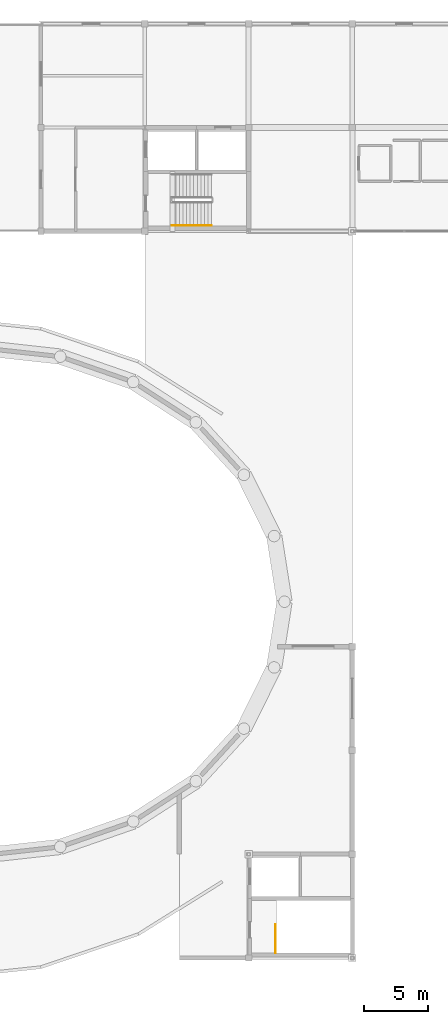
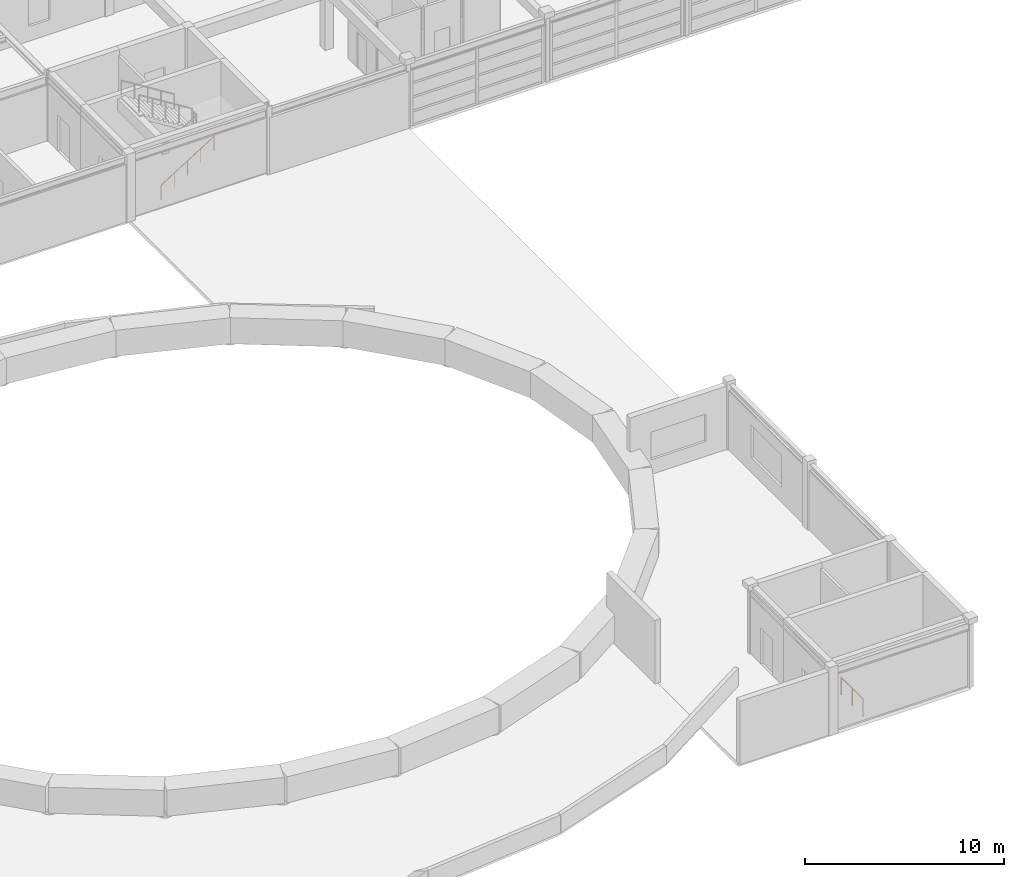
# One storey, part 22 of 26: 2 railings.
"""IFC4 building model written with IfcOpenShell, lengths in metres."""

from ifc_helpers import new_model, si_unit, direction, frame, origin, origin_2d, place, context, subcontext, project, spatial, circle, extrude, material, type_object, element, save


model = new_model("IFC4")

# Units and contexts
model_context = context("Model", 3, precision=1e-05, world=origin(), true_north=direction((0.0, 1.0)))
body_context = subcontext(model_context, "Body", "Model", "MODEL_VIEW")
ifc_project = project(units=[si_unit("LENGTHUNIT", "METRE"), si_unit("AREAUNIT", "SQUARE_METRE"), si_unit("VOLUMEUNIT", "CUBIC_METRE"), si_unit("PLANEANGLEUNIT", "RADIAN"), si_unit("MASSUNIT", "GRAM", prefix="KILO")], contexts=[model_context])

# Site, building, storey
site_placement = place(None, origin())
site = spatial("IfcSite", under=ifc_project, at=site_placement, CompositionType="ELEMENT")
building_placement = place(site_placement, origin())
building = spatial("IfcBuilding", under=site, at=building_placement, Name="Parian Resonance Hall", CompositionType="ELEMENT")
storey_placement = place(building_placement, frame((0.0, 0.0, 19.199951171875)))
storey = spatial("IfcBuildingStorey", under=building, at=storey_placement, Name="L04", CompositionType="ELEMENT", Elevation=19.199951171875)

# Railings
ifc_material_1 = material(Name="Patinated bronze whiplash metalwork")
railing_type_1 = type_object("IfcRailingType", Name="RAIL-STAIR-GRD-1100", PredefinedType="GUARDRAIL", material=ifc_material_1)
railing_1_placement = place(storey_placement, frame((66.889892578125, 16.60009765625, 0.0)))
element("IfcRailing", 1, at=railing_1_placement, inside=storey, type_object=railing_type_1, Name="L04 ST-03 top well guard 1", PredefinedType="GUARDRAIL", context=body_context, shape_type="SweptSolid", body=[
    extrude(circle(Radius=0.02392578125, at=origin_2d()), frame((0.0, 0.0, 1.076171875), z_axis=(0.0, 1.0, 0.0), x_axis=(-1.0, 0.0, 0.0)), (0.0, 0.0, 1.0), 2.199951171875),
    extrude(circle(Radius=0.02099609375, at=origin_2d()), origin(), (0.0, 0.0, 1.0), 1.052001953125),
    extrude(circle(Radius=0.02099609375, at=origin_2d()), frame((0.0, 1.10009765625, 0.0)), (0.0, 0.0, 1.0), 1.052001953125),
    extrude(circle(Radius=0.02099609375, at=origin_2d()), frame((0.0, 2.199951171875, 0.0)), (0.0, 0.0, 1.0), 1.052001953125),
])
ifc_material_2 = material(Name="Patinated bronze whiplash metalwork")
railing_type_2 = type_object("IfcRailingType", Name="RAIL-STAIR-HR-900", PredefinedType="HANDRAIL", material=ifc_material_2)
railing_2_placement = place(storey_placement, frame((58.840087890625, 73.35009765625, 0.175048828125)))
element("IfcRailing", 2, at=railing_2_placement, inside=storey, type_object=railing_type_2, Name="L04 ST-01 stair handrail 1", PredefinedType="HANDRAIL", context=body_context, shape_type="SweptSolid", body=[
    extrude(circle(Radius=0.02392578125, at=origin_2d()), frame((0.0, 0.0, 0.8759765625), z_axis=(0.847979421464, 0.0, 0.530029150871), x_axis=(0.0, 1.0, 0.0)), (0.0, 0.0, 1.0), 3.632080078125),
    extrude(circle(Radius=0.02099609375, at=origin_2d()), origin(), (0.0, 0.0, 1.0), 0.851806640625),
    extrude(circle(Radius=0.02099609375, at=origin_2d()), frame((0.77001953125, 0.0, 0.481201171875)), (0.0, 0.0, 1.0), 0.851806640625),
    extrude(circle(Radius=0.02099609375, at=origin_2d()), frame((1.5400390625, 0.0, 0.96240234375)), (0.0, 0.0, 1.0), 0.851806640625),
    extrude(circle(Radius=0.02099609375, at=origin_2d()), frame((2.309814453125, 0.0, 1.44384765625)), (0.0, 0.0, 1.0), 0.851806640625),
    extrude(circle(Radius=0.02099609375, at=origin_2d()), frame((3.079833984375, 0.0, 1.925048828125)), (0.0, 0.0, 1.0), 0.851806640625),
])

save(model, "model.ifc")
